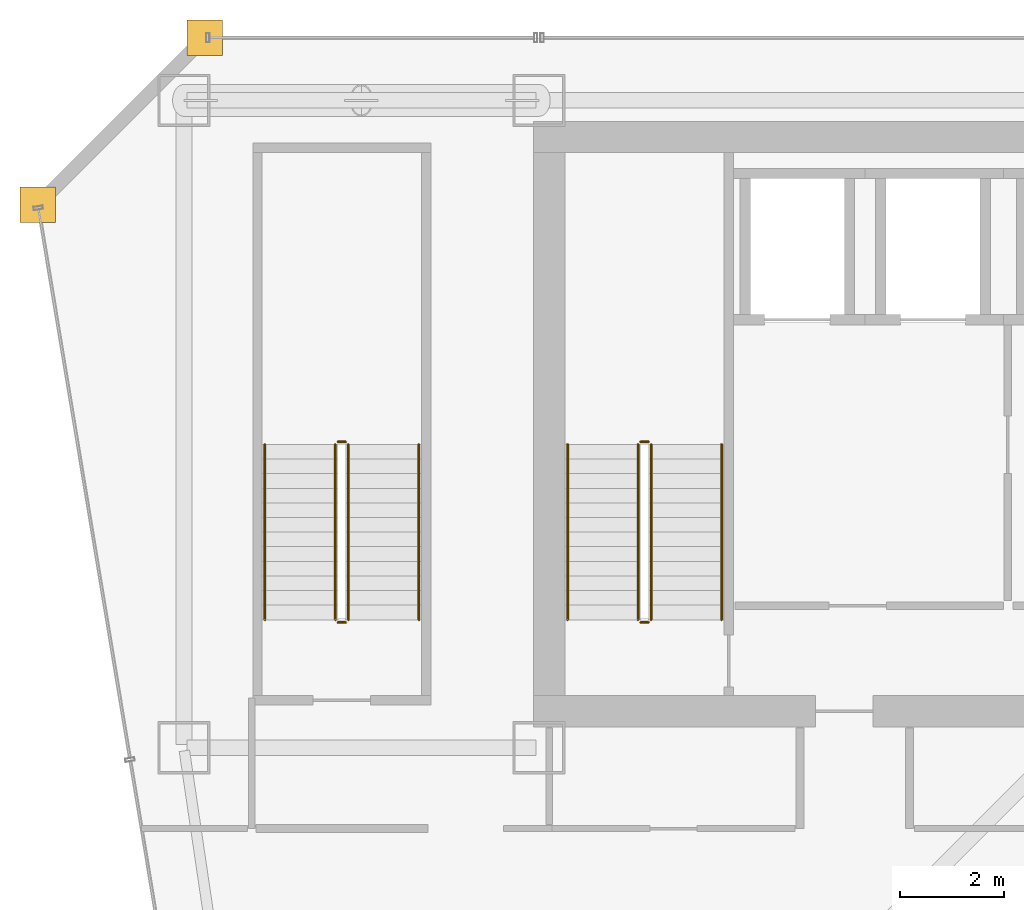
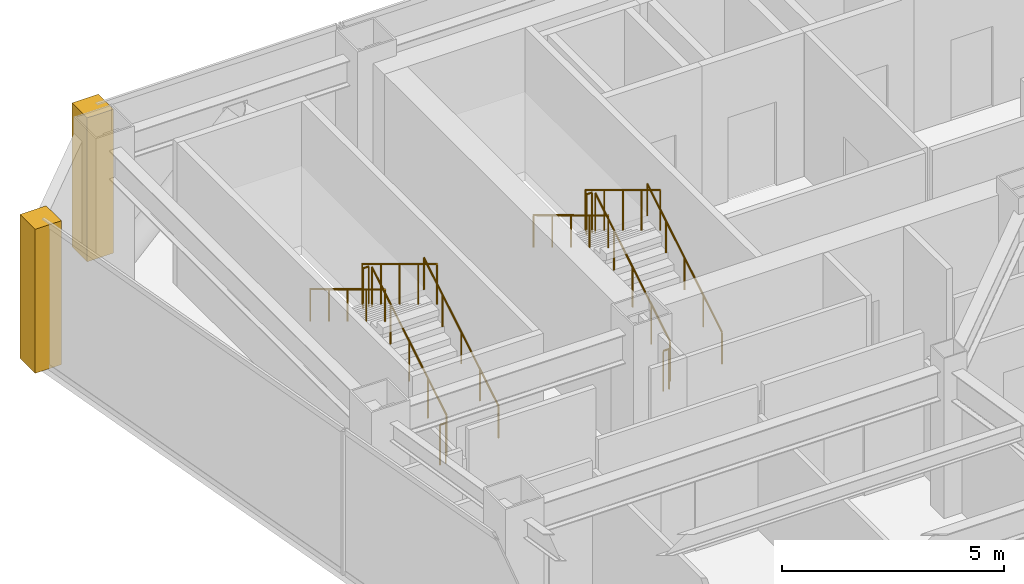
# One storey, part 35 of 36: 12 railings, 2 coverings.
"""IFC4 building model written with IfcOpenShell, lengths in metres."""

from ifc_helpers import new_model, si_unit, direction, frame, origin, origin_2d, place, context, subcontext, project, spatial, polyline, circle, outline, extrude, material, layer, layer_set, type_object, element, save


model = new_model("IFC4")

# Units and contexts
model_context = context("Model", 3, precision=1e-05, world=origin(), true_north=direction((0.0, 1.0)))
body_context = subcontext(model_context, "Body", "Model", "MODEL_VIEW")
ifc_project = project(units=[si_unit("LENGTHUNIT", "METRE"), si_unit("AREAUNIT", "SQUARE_METRE"), si_unit("VOLUMEUNIT", "CUBIC_METRE"), si_unit("PLANEANGLEUNIT", "RADIAN"), si_unit("MASSUNIT", "GRAM", prefix="KILO")], contexts=[model_context])

# Site, building, storey
site_placement = place(None, origin())
site = spatial("IfcSite", under=ifc_project, at=site_placement, CompositionType="ELEMENT")
building_placement = place(site_placement, origin())
building = spatial("IfcBuilding", under=site, at=building_placement, Name="Saevonmaru Cultural Tower", CompositionType="ELEMENT")
storey_placement = place(building_placement, frame((0.0, 0.0, 119.199951171875)))
storey = spatial("IfcBuildingStorey", under=building, at=storey_placement, Name="L25", CompositionType="ELEMENT", Elevation=119.199951171875)

# Coverings
ifc_material_1 = material(Name="Satin Bronze Anodised Aluminium", Category="aluminium")
ifc_layer = layer(ifc_material_1, 0.679931640625, Name="Satin Bronze Anodised Aluminium")
ifc_layer_set = layer_set([ifc_layer], Name="Satin Bronze Anodised Aluminium")
covering_type = type_object("IfcCoveringType", Name="CV-CORNER-CLAD", PredefinedType="CLADDING", material=ifc_layer_set)
covering_1_placement = place(storey_placement, origin())
element("IfcCovering", 1, at=covering_1_placement, inside=storey, type_object=covering_type, Name="L25 Tower Bronze Corner Cladding Pier 11", PredefinedType="CLADDING", context=body_context, shape_type="SweptSolid", body=[
    extrude(outline(polyline([(6.860107421875, 55.659912109375), (7.5400390625, 55.659912109375), (7.5400390625, 56.340087890625), (6.860107421875, 56.340087890625), (6.860107421875, 55.659912109375)])), origin(), (0.0, 0.0, 1.0), 3.949951171875),
])
covering_2_placement = place(storey_placement, origin())
element("IfcCovering", 2, at=covering_2_placement, inside=storey, type_object=covering_type, Name="L25 Tower Bronze Corner Cladding Pier 12", PredefinedType="CLADDING", context=body_context, shape_type="SweptSolid", body=[
    extrude(outline(polyline([(3.659912109375, 52.4599609375), (4.340087890625, 52.4599609375), (4.340087890625, 53.139892578125), (3.659912109375, 53.139892578125), (3.659912109375, 52.4599609375)])), origin(), (0.0, 0.0, 1.0), 3.949951171875),
])

# Railings
ifc_material_2 = material(Name="Architectural Painted Steel", Category="steel")
railing_type_1 = type_object("IfcRailingType", Name="RL-STAIR-GUARD", PredefinedType="GUARDRAIL", material=ifc_material_2)
railing_1_placement = place(storey_placement, frame((15.75, 44.85009765625, 0.169189453125)))
element("IfcRailing", 3, at=railing_1_placement, inside=storey, type_object=railing_type_1, Name="L25 ST-1 stair guard 1", PredefinedType="GUARDRAIL", context=body_context, shape_type="SweptSolid", body=[
    extrude(circle(Radius=0.02392578125, at=origin_2d()), frame((0.0, 0.0, 1.09619140625), z_axis=(0.0, 0.855820338506, 0.51727318527), x_axis=(-1.0, 0.0, 0.0)), (0.0, 0.0, 1.0), 3.92578125),
    extrude(circle(Radius=0.02099609375, at=origin_2d()), origin(), (0.0, 0.0, 1.0), 1.072021484375),
    extrude(circle(Radius=0.02099609375, at=origin_2d()), frame((0.0, 0.83984375, 0.5078125)), (0.0, 0.0, 1.0), 1.072021484375),
    extrude(circle(Radius=0.02099609375, at=origin_2d()), frame((0.0, 1.679931640625, 1.015380859375)), (0.0, 0.0, 1.0), 1.072021484375),
    extrude(circle(Radius=0.02099609375, at=origin_2d()), frame((0.0, 2.52001953125, 1.52294921875)), (0.0, 0.0, 1.0), 1.072021484375),
    extrude(circle(Radius=0.02099609375, at=origin_2d()), frame((0.0, 3.35986328125, 2.03076171875)), (0.0, 0.0, 1.0), 1.072021484375),
])
railing_2_placement = place(storey_placement, frame((15.699951171875, 48.260009765625, 2.199951171875)))
element("IfcRailing", 4, at=railing_2_placement, inside=storey, type_object=railing_type_1, Name="L25 ST-1 stair guard 2", PredefinedType="GUARDRAIL", context=body_context, shape_type="SweptSolid", body=[
    extrude(circle(Radius=0.02392578125, at=origin_2d()), frame((0.0, 0.0, 1.09619140625), z_axis=(-1.0, 0.0, 0.0), x_axis=(0.0, -1.0, 0.0)), (0.0, 0.0, 1.0), 0.14990234375),
    extrude(circle(Radius=0.02099609375, at=origin_2d()), origin(), (0.0, 0.0, 1.0), 1.072021484375),
    extrude(circle(Radius=0.02099609375, at=origin_2d()), frame((-0.14990234375, 0.0, 0.0)), (0.0, 0.0, 1.0), 1.072021484375),
])
railing_3_placement = place(storey_placement, frame((15.5, 48.2099609375, 2.369384765625)))
element("IfcRailing", 5, at=railing_3_placement, inside=storey, type_object=railing_type_1, Name="L25 ST-1 stair guard 3", PredefinedType="GUARDRAIL", context=body_context, shape_type="SweptSolid", body=[
    extrude(circle(Radius=0.02392578125, at=origin_2d()), frame((0.0, 0.0, 1.09619140625), z_axis=(0.0, -0.855820338506, 0.51727318527), x_axis=(1.0, 0.0, 0.0)), (0.0, 0.0, 1.0), 3.92578125),
    extrude(circle(Radius=0.02099609375, at=origin_2d()), origin(), (0.0, 0.0, 1.0), 1.072021484375),
    extrude(circle(Radius=0.02099609375, at=origin_2d()), frame((0.0, -0.83984375, 0.5078125)), (0.0, 0.0, 1.0), 1.072021484375),
    extrude(circle(Radius=0.02099609375, at=origin_2d()), frame((0.0, -1.679931640625, 1.015380859375)), (0.0, 0.0, 1.0), 1.072021484375),
    extrude(circle(Radius=0.02099609375, at=origin_2d()), frame((0.0, -2.52001953125, 1.52294921875)), (0.0, 0.0, 1.0), 1.072021484375),
    extrude(circle(Radius=0.02099609375, at=origin_2d()), frame((0.0, -3.35986328125, 2.03076171875)), (0.0, 0.0, 1.0), 1.072021484375),
])
railing_4_placement = place(storey_placement, frame((15.699951171875, 44.800048828125, 0.0)))
element("IfcRailing", 6, at=railing_4_placement, inside=storey, type_object=railing_type_1, Name="L25 ST-1 stair guard 4", PredefinedType="GUARDRAIL", context=body_context, shape_type="SweptSolid", body=[
    extrude(circle(Radius=0.02392578125, at=origin_2d()), frame((0.0, 0.0, 1.09619140625), z_axis=(-1.0, 0.0, 0.0), x_axis=(0.0, -1.0, 0.0)), (0.0, 0.0, 1.0), 0.14990234375),
    extrude(circle(Radius=0.02099609375, at=origin_2d()), origin(), (0.0, 0.0, 1.0), 1.072021484375),
    extrude(circle(Radius=0.02099609375, at=origin_2d()), frame((-0.14990234375, 0.0, 0.0)), (0.0, 0.0, 1.0), 1.072021484375),
])
railing_5_placement = place(storey_placement, frame((9.949951171875, 44.85009765625, 0.169189453125)))
element("IfcRailing", 7, at=railing_5_placement, inside=storey, type_object=railing_type_1, Name="L25 ST-3 stair guard 1", PredefinedType="GUARDRAIL", context=body_context, shape_type="SweptSolid", body=[
    extrude(circle(Radius=0.02392578125, at=origin_2d()), frame((0.0, 0.0, 1.09619140625), z_axis=(0.0, 0.855820338506, 0.51727318527), x_axis=(-1.0, 0.0, 0.0)), (0.0, 0.0, 1.0), 3.92578125),
    extrude(circle(Radius=0.02099609375, at=origin_2d()), origin(), (0.0, 0.0, 1.0), 1.072021484375),
    extrude(circle(Radius=0.02099609375, at=origin_2d()), frame((0.0, 0.83984375, 0.5078125)), (0.0, 0.0, 1.0), 1.072021484375),
    extrude(circle(Radius=0.02099609375, at=origin_2d()), frame((0.0, 1.679931640625, 1.015380859375)), (0.0, 0.0, 1.0), 1.072021484375),
    extrude(circle(Radius=0.02099609375, at=origin_2d()), frame((0.0, 2.52001953125, 1.52294921875)), (0.0, 0.0, 1.0), 1.072021484375),
    extrude(circle(Radius=0.02099609375, at=origin_2d()), frame((0.0, 3.35986328125, 2.03076171875)), (0.0, 0.0, 1.0), 1.072021484375),
])
railing_6_placement = place(storey_placement, frame((9.89990234375, 48.260009765625, 2.199951171875)))
element("IfcRailing", 8, at=railing_6_placement, inside=storey, type_object=railing_type_1, Name="L25 ST-3 stair guard 2", PredefinedType="GUARDRAIL", context=body_context, shape_type="SweptSolid", body=[
    extrude(circle(Radius=0.02392578125, at=origin_2d()), frame((0.0, 0.0, 1.09619140625), z_axis=(-1.0, 0.0, 0.0), x_axis=(0.0, -1.0, 0.0)), (0.0, 0.0, 1.0), 0.14990234375),
    extrude(circle(Radius=0.02099609375, at=origin_2d()), origin(), (0.0, 0.0, 1.0), 1.072021484375),
    extrude(circle(Radius=0.02099609375, at=origin_2d()), frame((-0.14990234375, 0.0, 0.0)), (0.0, 0.0, 1.0), 1.072021484375),
])
railing_7_placement = place(storey_placement, frame((9.699951171875, 48.2099609375, 2.369384765625)))
element("IfcRailing", 9, at=railing_7_placement, inside=storey, type_object=railing_type_1, Name="L25 ST-3 stair guard 3", PredefinedType="GUARDRAIL", context=body_context, shape_type="SweptSolid", body=[
    extrude(circle(Radius=0.02392578125, at=origin_2d()), frame((0.0, 0.0, 1.09619140625), z_axis=(0.0, -0.855820338506, 0.51727318527), x_axis=(1.0, 0.0, 0.0)), (0.0, 0.0, 1.0), 3.92578125),
    extrude(circle(Radius=0.02099609375, at=origin_2d()), origin(), (0.0, 0.0, 1.0), 1.072021484375),
    extrude(circle(Radius=0.02099609375, at=origin_2d()), frame((0.0, -0.83984375, 0.5078125)), (0.0, 0.0, 1.0), 1.072021484375),
    extrude(circle(Radius=0.02099609375, at=origin_2d()), frame((0.0, -1.679931640625, 1.015380859375)), (0.0, 0.0, 1.0), 1.072021484375),
    extrude(circle(Radius=0.02099609375, at=origin_2d()), frame((0.0, -2.52001953125, 1.52294921875)), (0.0, 0.0, 1.0), 1.072021484375),
    extrude(circle(Radius=0.02099609375, at=origin_2d()), frame((0.0, -3.35986328125, 2.03076171875)), (0.0, 0.0, 1.0), 1.072021484375),
])
railing_8_placement = place(storey_placement, frame((9.89990234375, 44.800048828125, 0.0)))
element("IfcRailing", 10, at=railing_8_placement, inside=storey, type_object=railing_type_1, Name="L25 ST-3 stair guard 4", PredefinedType="GUARDRAIL", context=body_context, shape_type="SweptSolid", body=[
    extrude(circle(Radius=0.02392578125, at=origin_2d()), frame((0.0, 0.0, 1.09619140625), z_axis=(-1.0, 0.0, 0.0), x_axis=(0.0, -1.0, 0.0)), (0.0, 0.0, 1.0), 0.14990234375),
    extrude(circle(Radius=0.02099609375, at=origin_2d()), origin(), (0.0, 0.0, 1.0), 1.072021484375),
    extrude(circle(Radius=0.02099609375, at=origin_2d()), frame((-0.14990234375, 0.0, 0.0)), (0.0, 0.0, 1.0), 1.072021484375),
])
railing_type_2 = type_object("IfcRailingType", Name="RL-STAIR-HANDRAIL", PredefinedType="HANDRAIL", material=ifc_material_1)
railing_9_placement = place(storey_placement, frame((17.10009765625, 44.85009765625, 0.169189453125)))
element("IfcRailing", 11, at=railing_9_placement, inside=storey, type_object=railing_type_2, Name="L25 ST-1 stair handrail 1", PredefinedType="HANDRAIL", context=body_context, shape_type="SweptSolid", body=[
    extrude(circle(Radius=0.02392578125, at=origin_2d()), frame((0.0, 0.0, 0.8759765625), z_axis=(0.0, 0.855820338506, 0.51727318527), x_axis=(-1.0, 0.0, 0.0)), (0.0, 0.0, 1.0), 3.92578125),
    extrude(circle(Radius=0.02099609375, at=origin_2d()), origin(), (0.0, 0.0, 1.0), 0.851806640625),
    extrude(circle(Radius=0.02099609375, at=origin_2d()), frame((0.0, 0.83984375, 0.5078125)), (0.0, 0.0, 1.0), 0.851806640625),
    extrude(circle(Radius=0.02099609375, at=origin_2d()), frame((0.0, 1.679931640625, 1.015380859375)), (0.0, 0.0, 1.0), 0.851806640625),
    extrude(circle(Radius=0.02099609375, at=origin_2d()), frame((0.0, 2.52001953125, 1.52294921875)), (0.0, 0.0, 1.0), 0.851806640625),
    extrude(circle(Radius=0.02099609375, at=origin_2d()), frame((0.0, 3.35986328125, 2.03076171875)), (0.0, 0.0, 1.0), 0.851806640625),
])
railing_10_placement = place(storey_placement, frame((14.14990234375, 48.2099609375, 2.369384765625)))
element("IfcRailing", 12, at=railing_10_placement, inside=storey, type_object=railing_type_2, Name="L25 ST-1 stair handrail 2", PredefinedType="HANDRAIL", context=body_context, shape_type="SweptSolid", body=[
    extrude(circle(Radius=0.02392578125, at=origin_2d()), frame((0.0, 0.0, 0.8759765625), z_axis=(0.0, -0.855820338506, 0.51727318527), x_axis=(1.0, 0.0, 0.0)), (0.0, 0.0, 1.0), 3.92578125),
    extrude(circle(Radius=0.02099609375, at=origin_2d()), origin(), (0.0, 0.0, 1.0), 0.851806640625),
    extrude(circle(Radius=0.02099609375, at=origin_2d()), frame((0.0, -0.83984375, 0.5078125)), (0.0, 0.0, 1.0), 0.851806640625),
    extrude(circle(Radius=0.02099609375, at=origin_2d()), frame((0.0, -1.679931640625, 1.015380859375)), (0.0, 0.0, 1.0), 0.851806640625),
    extrude(circle(Radius=0.02099609375, at=origin_2d()), frame((0.0, -2.52001953125, 1.52294921875)), (0.0, 0.0, 1.0), 0.851806640625),
    extrude(circle(Radius=0.02099609375, at=origin_2d()), frame((0.0, -3.35986328125, 2.03076171875)), (0.0, 0.0, 1.0), 0.851806640625),
])
railing_11_placement = place(storey_placement, frame((11.300048828125, 44.85009765625, 0.169189453125)))
element("IfcRailing", 13, at=railing_11_placement, inside=storey, type_object=railing_type_2, Name="L25 ST-3 stair handrail 1", PredefinedType="HANDRAIL", context=body_context, shape_type="SweptSolid", body=[
    extrude(circle(Radius=0.02392578125, at=origin_2d()), frame((0.0, 0.0, 0.8759765625), z_axis=(0.0, 0.855820338506, 0.51727318527), x_axis=(-1.0, 0.0, 0.0)), (0.0, 0.0, 1.0), 3.92578125),
    extrude(circle(Radius=0.02099609375, at=origin_2d()), origin(), (0.0, 0.0, 1.0), 0.851806640625),
    extrude(circle(Radius=0.02099609375, at=origin_2d()), frame((0.0, 0.83984375, 0.5078125)), (0.0, 0.0, 1.0), 0.851806640625),
    extrude(circle(Radius=0.02099609375, at=origin_2d()), frame((0.0, 1.679931640625, 1.015380859375)), (0.0, 0.0, 1.0), 0.851806640625),
    extrude(circle(Radius=0.02099609375, at=origin_2d()), frame((0.0, 2.52001953125, 1.52294921875)), (0.0, 0.0, 1.0), 0.851806640625),
    extrude(circle(Radius=0.02099609375, at=origin_2d()), frame((0.0, 3.35986328125, 2.03076171875)), (0.0, 0.0, 1.0), 0.851806640625),
])
railing_12_placement = place(storey_placement, frame((8.35009765625, 48.2099609375, 2.369384765625)))
element("IfcRailing", 14, at=railing_12_placement, inside=storey, type_object=railing_type_2, Name="L25 ST-3 stair handrail 2", PredefinedType="HANDRAIL", context=body_context, shape_type="SweptSolid", body=[
    extrude(circle(Radius=0.02392578125, at=origin_2d()), frame((0.0, 0.0, 0.8759765625), z_axis=(0.0, -0.855820338506, 0.51727318527), x_axis=(1.0, 0.0, 0.0)), (0.0, 0.0, 1.0), 3.92578125),
    extrude(circle(Radius=0.02099609375, at=origin_2d()), origin(), (0.0, 0.0, 1.0), 0.851806640625),
    extrude(circle(Radius=0.02099609375, at=origin_2d()), frame((0.0, -0.83984375, 0.5078125)), (0.0, 0.0, 1.0), 0.851806640625),
    extrude(circle(Radius=0.02099609375, at=origin_2d()), frame((0.0, -1.679931640625, 1.015380859375)), (0.0, 0.0, 1.0), 0.851806640625),
    extrude(circle(Radius=0.02099609375, at=origin_2d()), frame((0.0, -2.52001953125, 1.52294921875)), (0.0, 0.0, 1.0), 0.851806640625),
    extrude(circle(Radius=0.02099609375, at=origin_2d()), frame((0.0, -3.35986328125, 2.03076171875)), (0.0, 0.0, 1.0), 0.851806640625),
])

save(model, "model.ifc")
